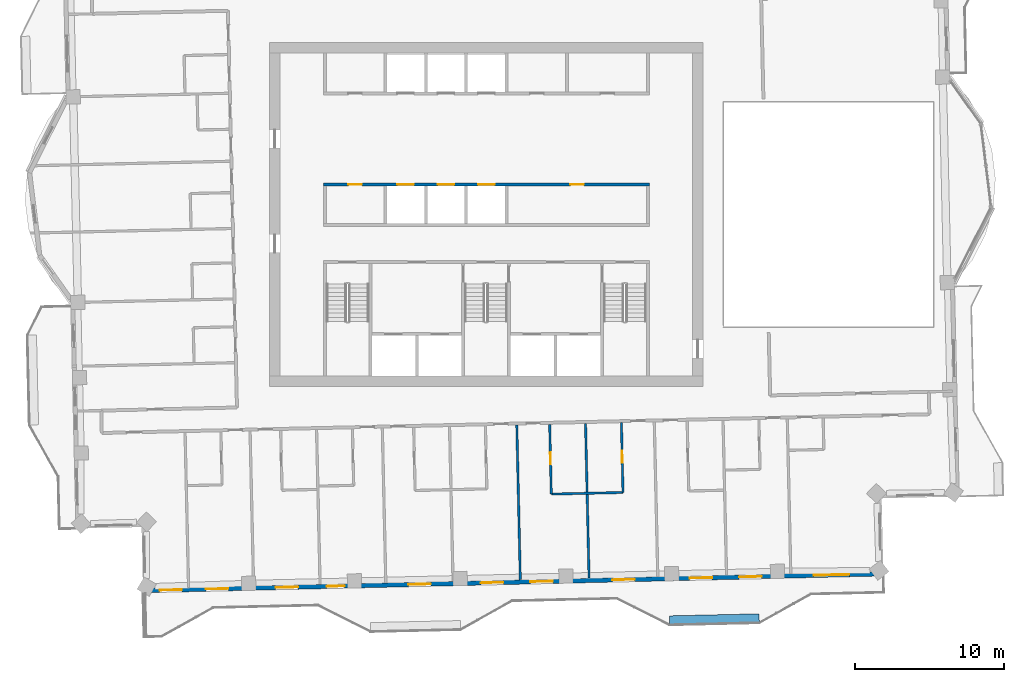
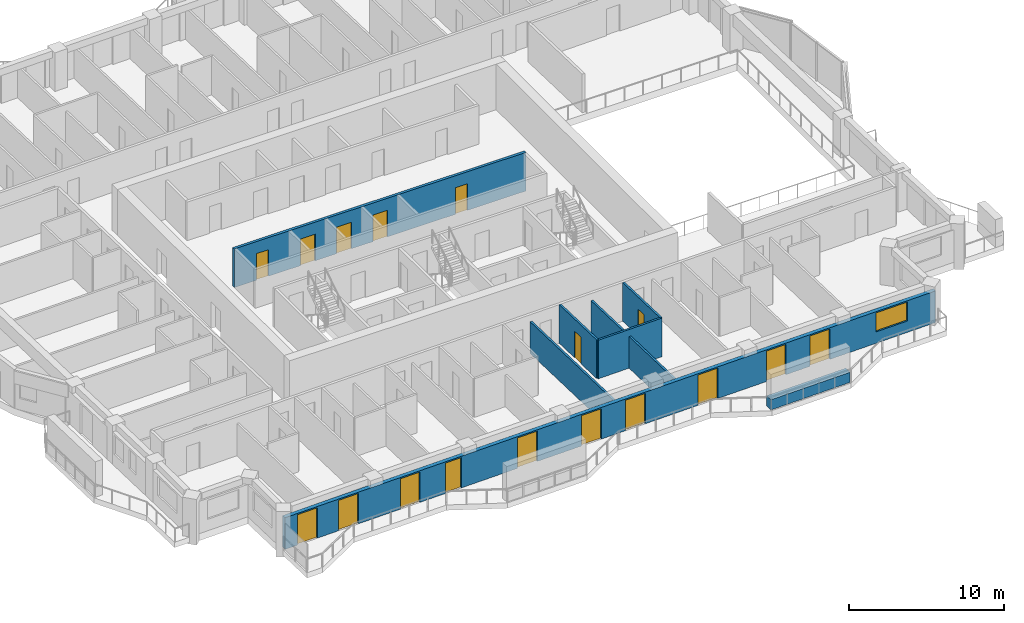
# One storey, part 10 of 20: 17 doors, 8 walls, 1 window, 18 openings.
"""IFC4 building model written with IfcOpenShell, lengths in metres."""

from ifc_helpers import new_model, si_unit, direction, frame, frame_2d, origin, place, context, subcontext, project, spatial, rectangle, extrude, material, layer, layer_set, type_object, element, fill, save


model = new_model("IFC4")

# Units and contexts
model_context = context("Model", 3, precision=1e-05, world=origin(), true_north=direction((0.0, 1.0)))
body_context = subcontext(model_context, "Body", "Model", "MODEL_VIEW")
ifc_project = project(units=[si_unit("LENGTHUNIT", "METRE"), si_unit("AREAUNIT", "SQUARE_METRE"), si_unit("VOLUMEUNIT", "CUBIC_METRE"), si_unit("PLANEANGLEUNIT", "RADIAN"), si_unit("MASSUNIT", "GRAM", prefix="KILO")], contexts=[model_context])

# Site, building, storey
site_placement = place(None, origin())
site = spatial("IfcSite", under=ifc_project, at=site_placement, CompositionType="ELEMENT")
building_placement = place(site_placement, origin())
building = spatial("IfcBuilding", under=site, at=building_placement, Name="Mangrove Gate Tower", CompositionType="ELEMENT")
storey_placement = place(building_placement, frame((0.0, 0.0, 294.300048828125)))
storey = spatial("IfcBuildingStorey", under=building, at=storey_placement, Name="L75", CompositionType="ELEMENT", Elevation=294.300048828125)

# Wall, openings, doors
ifc_material_1 = material(Name="Concrete C50/60", Category="concrete")
ifc_layer_1 = layer(ifc_material_1, 0.199951171875)
ifc_layer_set_1 = layer_set([ifc_layer_1], Name="Core shaft wall 200 C50/60")
wall_type_1 = type_object("IfcWallType", Name="Core shaft wall 200 C50/60", PredefinedType="SHEAR", material=ifc_layer_set_1)
wall_1_placement = place(storey_placement, frame((-10.89990234375, 2.0, 0.0), z_axis=(0.0, 0.0, 1.0), x_axis=(1.0, 0.0, 0.0)))
wall_1 = element("IfcWall", 1, at=wall_1_placement, inside=storey, type_object=wall_type_1, Name="WALL-L75-CORE-7", PredefinedType="SHEAR", context=body_context, shape_type="SweptSolid", body=[
    extrude(rectangle(XDim=21.7998046875, YDim=0.199951171875, at=frame_2d((10.89990234375, 0.0))), origin(), (0.0, 0.0, 1.0), 3.050048828125),
])
opening_1_placement = place(wall_1_placement, frame((4.949951171875, 0.0, 0.0)))
opening_1 = element("IfcOpeningElement", 2, at=opening_1_placement, cuts=wall_1, Name="Opening LD", PredefinedType="OPENING", context=body_context, shape_type="SweptSolid", body=[
    extrude(rectangle(XDim=1.10009765625, YDim=2.10009765625, at=frame_2d((0.550048828125, 1.050048828125))), frame((0.0, 0.10986328125, 0.0), z_axis=(0.0, -1.0, 0.0), x_axis=(1.0, 0.0, 0.0)), (0.0, 0.0, 1.0), 0.219970703125),
])
opening_2_placement = place(wall_1_placement, frame((7.64990234375, 0.0, 0.0)))
opening_2 = element("IfcOpeningElement", 3, at=opening_2_placement, cuts=wall_1, Name="Opening LD", PredefinedType="OPENING", context=body_context, shape_type="SweptSolid", body=[
    extrude(rectangle(XDim=1.10009765625, YDim=2.10009765625, at=frame_2d((0.550048828125, 1.050048828125))), frame((0.0, 0.10986328125, 0.0), z_axis=(0.0, -1.0, 0.0), x_axis=(1.0, 0.0, 0.0)), (0.0, 0.0, 1.0), 0.219970703125),
])
opening_3_placement = place(wall_1_placement, frame((10.35009765625, 0.0, 0.0)))
opening_3 = element("IfcOpeningElement", 4, at=opening_3_placement, cuts=wall_1, Name="Opening LD", PredefinedType="OPENING", context=body_context, shape_type="SweptSolid", body=[
    extrude(rectangle(XDim=1.10009765625, YDim=2.10009765625, at=frame_2d((0.550048828125, 1.050048828125))), frame((0.0, 0.10986328125, 0.0), z_axis=(0.0, -1.0, 0.0), x_axis=(1.0, 0.0, 0.0)), (0.0, 0.0, 1.0), 0.219970703125),
])
opening_4_placement = place(wall_1_placement, frame((1.675048828125, 0.0, 0.0)))
opening_4 = element("IfcOpeningElement", 5, at=opening_4_placement, cuts=wall_1, Name="Opening RD", PredefinedType="OPENING", context=body_context, shape_type="SweptSolid", body=[
    extrude(rectangle(XDim=0.89990234375, YDim=2.10009765625, at=frame_2d((0.449951171875, 1.050048828125))), frame((0.0, 0.10986328125, 0.0), z_axis=(0.0, -1.0, 0.0), x_axis=(1.0, 0.0, 0.0)), (0.0, 0.0, 1.0), 0.219970703125),
])
opening_5_placement = place(wall_1_placement, frame((16.52490234375, 0.0, 0.0)))
opening_5 = element("IfcOpeningElement", 6, at=opening_5_placement, cuts=wall_1, Name="Opening KD", PredefinedType="OPENING", context=body_context, shape_type="SweptSolid", body=[
    extrude(rectangle(XDim=0.89990234375, YDim=2.10009765625, at=frame_2d((0.449951171875, 1.050048828125))), frame((0.0, 0.10986328125, 0.0), z_axis=(0.0, -1.0, 0.0), x_axis=(1.0, 0.0, 0.0)), (0.0, 0.0, 1.0), 0.219970703125),
])
ifc_material_2 = material(Name="Fire-rated steel door set", Category="steel")
door_type_1 = type_object("IfcDoorType", Name="Core room door FD30S 900x2100", OperationType="SINGLE_SWING_RIGHT", PredefinedType="DOOR", material=ifc_material_2)
door_1_placement = place(opening_5_placement, origin())
door_1 = element("IfcDoor", 7, at=door_1_placement, inside=storey, type_object=door_type_1, Name="Core room door Linen store", OperationType="SINGLE_SWING_RIGHT", OverallHeight=2.10009765625, OverallWidth=0.89990234375, PredefinedType="DOOR", context=body_context, shape_type="SweptSolid", body=[
    extrude(rectangle(XDim=0.89990234375, YDim=2.10009765625, at=frame_2d((0.449951171875, 1.050048828125))), frame((0.0, 0.02490234375, 0.0), z_axis=(0.0, -1.0, 0.0), x_axis=(1.0, 0.0, 0.0)), (0.0, 0.0, 1.0), 0.050048828125),
])
fill(opening_5, door_1)
ifc_material_3 = material(Name="Stainless steel 316", Category="steel")
door_type_2 = type_object("IfcDoorType", Name="Lift landing door 1100x2100", OperationType="SLIDING_TO_LEFT", PredefinedType="DOOR", material=ifc_material_3)
door_2_placement = place(opening_1_placement, origin())
door_2 = element("IfcDoor", 8, at=door_2_placement, inside=storey, type_object=door_type_2, Name="Landing door LD H01", OperationType="SLIDING_TO_LEFT", OverallHeight=2.10009765625, OverallWidth=1.10009765625, PredefinedType="DOOR", context=body_context, shape_type="SweptSolid", body=[
    extrude(rectangle(XDim=1.10009765625, YDim=2.10009765625, at=frame_2d((0.550048828125, 1.050048828125))), frame((0.0, 0.02490234375, 0.0), z_axis=(0.0, -1.0, 0.0), x_axis=(1.0, 0.0, 0.0)), (0.0, 0.0, 1.0), 0.050048828125),
])
fill(opening_1, door_2)
door_3_placement = place(opening_2_placement, origin())
door_3 = element("IfcDoor", 9, at=door_3_placement, inside=storey, type_object=door_type_2, Name="Landing door LD H02", OperationType="SLIDING_TO_LEFT", OverallHeight=2.10009765625, OverallWidth=1.10009765625, PredefinedType="DOOR", context=body_context, shape_type="SweptSolid", body=[
    extrude(rectangle(XDim=1.10009765625, YDim=2.10009765625, at=frame_2d((0.550048828125, 1.050048828125))), frame((0.0, 0.02490234375, 0.0), z_axis=(0.0, -1.0, 0.0), x_axis=(1.0, 0.0, 0.0)), (0.0, 0.0, 1.0), 0.050048828125),
])
fill(opening_2, door_3)
door_4_placement = place(opening_3_placement, origin())
door_4 = element("IfcDoor", 10, at=door_4_placement, inside=storey, type_object=door_type_2, Name="Landing door LD H03", OperationType="SLIDING_TO_LEFT", OverallHeight=2.10009765625, OverallWidth=1.10009765625, PredefinedType="DOOR", context=body_context, shape_type="SweptSolid", body=[
    extrude(rectangle(XDim=1.10009765625, YDim=2.10009765625, at=frame_2d((0.550048828125, 1.050048828125))), frame((0.0, 0.02490234375, 0.0), z_axis=(0.0, -1.0, 0.0), x_axis=(1.0, 0.0, 0.0)), (0.0, 0.0, 1.0), 0.050048828125),
])
fill(opening_3, door_4)
ifc_material_4 = material(Name="Fire-rated steel door set", Category="steel")
door_type_3 = type_object("IfcDoorType", Name="Riser door FD30S 900x2100", OperationType="SINGLE_SWING_LEFT", PredefinedType="DOOR", material=ifc_material_4)
door_5_placement = place(opening_4_placement, origin())
door_5 = element("IfcDoor", 11, at=door_5_placement, inside=storey, type_object=door_type_3, Name="Riser door Electrical room", OperationType="SINGLE_SWING_LEFT", OverallHeight=2.10009765625, OverallWidth=0.89990234375, PredefinedType="DOOR", context=body_context, shape_type="SweptSolid", body=[
    extrude(rectangle(XDim=0.89990234375, YDim=2.10009765625, at=frame_2d((0.449951171875, 1.050048828125))), frame((0.0, 0.02490234375, 0.0), z_axis=(0.0, -1.0, 0.0), x_axis=(1.0, 0.0, 0.0)), (0.0, 0.0, 1.0), 0.050048828125),
])
fill(opening_4, door_5)

# Wall, openings, doors, window
ifc_material_5 = material(Name="Limestone", Category="masonry")
ifc_layer_2 = layer(ifc_material_5, 0.0400390625, Name="Limestone cladding")
ifc_material_6 = material(Name="Ventilated air gap")
ifc_layer_3 = layer(ifc_material_6, 0.0400390625, Name="Ventilated cavity")
ifc_material_7 = material(Name="Mineral wool insulation")
ifc_layer_4 = layer(ifc_material_7, 0.06005859375, Name="Insulation")
ifc_material_8 = material(Name="Breather membrane")
ifc_layer_5 = layer(ifc_material_8, 0.001953125, Name="Breather membrane")
ifc_material_9 = material(Name="Concrete C20/25 blockwork", Category="masonry")
ifc_layer_6 = layer(ifc_material_9, 0.14990234375, Name="Blockwork backing wall")
ifc_material_10 = material(Name="Gypsum plaster")
ifc_layer_7 = layer(ifc_material_10, 0.008056640625, Name="Internal plaster")
ifc_layer_set_2 = layer_set([ifc_layer_2, ifc_layer_3, ifc_layer_4, ifc_layer_5, ifc_layer_6, ifc_layer_7], Name="External wall 300 limestone cladding")
wall_type_2 = type_object("IfcWallType", Name="External wall 300 limestone cladding", PredefinedType="SOLIDWALL", material=ifc_layer_set_2)
wall_2_placement = place(storey_placement, frame((-22.81591796875, -25.160888671875, 0.0), z_axis=(0.0, 0.0, 1.0), x_axis=(0.999742646411, 0.022685699159, 0.0)))
wall_2 = element("IfcWall", 12, at=wall_2_placement, inside=storey, type_object=wall_type_2, Name="WALL-L75-S13", PredefinedType="SOLIDWALL", context=body_context, shape_type="SweptSolid", body=[
    extrude(rectangle(XDim=49.235595703125, YDim=0.300048828125, at=frame_2d((24.61767578125, 0.0))), origin(), (0.0, 0.0, 1.0), 2.5),
])
opening_6_placement = place(wall_2_placement, frame((0.952880859375, 0.0, 0.0)))
opening_6 = element("IfcOpeningElement", 13, at=opening_6_placement, cuts=wall_2, Name="Opening BD1", PredefinedType="OPENING", context=body_context, shape_type="SweptSolid", body=[
    extrude(rectangle(XDim=1.5, YDim=2.39990234375, at=frame_2d((0.75, 1.199951171875))), frame((0.0, 0.159912109375, 0.0), z_axis=(0.0, -1.0, 0.0), x_axis=(1.0, 0.0, 0.0)), (0.0, 0.0, 1.0), 0.320068359375),
])
opening_7_placement = place(wall_2_placement, frame((4.051025390625, 0.0, 0.0)))
opening_7 = element("IfcOpeningElement", 14, at=opening_7_placement, cuts=wall_2, Name="Opening BD1", PredefinedType="OPENING", context=body_context, shape_type="SweptSolid", body=[
    extrude(rectangle(XDim=1.5, YDim=2.39990234375, at=frame_2d((0.75, 1.199951171875))), frame((0.0, 0.159912109375, 0.0), z_axis=(0.0, -1.0, 0.0), x_axis=(1.0, 0.0, 0.0)), (0.0, 0.0, 1.0), 0.320068359375),
])
opening_8_placement = place(wall_2_placement, frame((8.72509765625, 0.0, 0.0)))
opening_8 = element("IfcOpeningElement", 15, at=opening_8_placement, cuts=wall_2, Name="Opening BD1", PredefinedType="OPENING", context=body_context, shape_type="SweptSolid", body=[
    extrude(rectangle(XDim=1.5, YDim=2.39990234375, at=frame_2d((0.75, 1.199951171875))), frame((0.0, 0.159912109375, 0.0), z_axis=(0.0, -1.0, 0.0), x_axis=(1.0, 0.0, 0.0)), (0.0, 0.0, 1.0), 0.320068359375),
])
opening_9_placement = place(wall_2_placement, frame((12.138916015625, 0.0, 0.0)))
opening_9 = element("IfcOpeningElement", 16, at=opening_9_placement, cuts=wall_2, Name="Opening BD2", PredefinedType="OPENING", context=body_context, shape_type="SweptSolid", body=[
    extrude(rectangle(XDim=1.199951171875, YDim=2.39990234375, at=frame_2d((0.60009765625, 1.199951171875))), frame((0.0, 0.159912109375, 0.0), z_axis=(0.0, -1.0, 0.0), x_axis=(1.0, 0.0, 0.0)), (0.0, 0.0, 1.0), 0.320068359375),
])
opening_10_placement = place(wall_2_placement, frame((17.60009765625, 0.0, 0.0)))
opening_10 = element("IfcOpeningElement", 17, at=opening_10_placement, cuts=wall_2, Name="Opening BD1", PredefinedType="OPENING", context=body_context, shape_type="SweptSolid", body=[
    extrude(rectangle(XDim=1.5, YDim=2.39990234375, at=frame_2d((0.75, 1.199951171875))), frame((0.0, 0.159912109375, 0.0), z_axis=(0.0, -1.0, 0.0), x_axis=(1.0, 0.0, 0.0)), (0.0, 0.0, 1.0), 0.320068359375),
])
opening_11_placement = place(wall_2_placement, frame((22.452880859375, 0.0, 0.0)))
opening_11 = element("IfcOpeningElement", 18, at=opening_11_placement, cuts=wall_2, Name="Opening BD1", PredefinedType="OPENING", context=body_context, shape_type="SweptSolid", body=[
    extrude(rectangle(XDim=1.5, YDim=2.39990234375, at=frame_2d((0.75, 1.199951171875))), frame((0.0, 0.159912109375, 0.0), z_axis=(0.0, -1.0, 0.0), x_axis=(1.0, 0.0, 0.0)), (0.0, 0.0, 1.0), 0.320068359375),
])
opening_12_placement = place(wall_2_placement, frame((25.764892578125, 0.0, 0.0)))
opening_12 = element("IfcOpeningElement", 19, at=opening_12_placement, cuts=wall_2, Name="Opening BD1", PredefinedType="OPENING", context=body_context, shape_type="SweptSolid", body=[
    extrude(rectangle(XDim=1.5, YDim=2.39990234375, at=frame_2d((0.75, 1.199951171875))), frame((0.0, 0.159912109375, 0.0), z_axis=(0.0, -1.0, 0.0), x_axis=(1.0, 0.0, 0.0)), (0.0, 0.0, 1.0), 0.320068359375),
])
opening_13_placement = place(wall_2_placement, frame((31.25, 0.0, 0.0)))
opening_13 = element("IfcOpeningElement", 20, at=opening_13_placement, cuts=wall_2, Name="Opening BD1", PredefinedType="OPENING", context=body_context, shape_type="SweptSolid", body=[
    extrude(rectangle(XDim=1.5, YDim=2.39990234375, at=frame_2d((0.75, 1.199951171875))), frame((0.0, 0.159912109375, 0.0), z_axis=(0.0, -1.0, 0.0), x_axis=(1.0, 0.0, 0.0)), (0.0, 0.0, 1.0), 0.320068359375),
])
opening_14_placement = place(wall_2_placement, frame((36.428955078125, 0.0, 0.0)))
opening_14 = element("IfcOpeningElement", 21, at=opening_14_placement, cuts=wall_2, Name="Opening BD1", PredefinedType="OPENING", context=body_context, shape_type="SweptSolid", body=[
    extrude(rectangle(XDim=1.5, YDim=2.39990234375, at=frame_2d((0.75, 1.199951171875))), frame((0.0, 0.159912109375, 0.0), z_axis=(0.0, -1.0, 0.0), x_axis=(1.0, 0.0, 0.0)), (0.0, 0.0, 1.0), 0.320068359375),
])
opening_15_placement = place(wall_2_placement, frame((39.741943359375, 0.0, 0.0)))
opening_15 = element("IfcOpeningElement", 22, at=opening_15_placement, cuts=wall_2, Name="Opening BD1", PredefinedType="OPENING", context=body_context, shape_type="SweptSolid", body=[
    extrude(rectangle(XDim=1.5, YDim=2.39990234375, at=frame_2d((0.75, 1.199951171875))), frame((0.0, 0.159912109375, 0.0), z_axis=(0.0, -1.0, 0.0), x_axis=(1.0, 0.0, 0.0)), (0.0, 0.0, 1.0), 0.320068359375),
])
opening_16_placement = place(wall_2_placement, frame((44.719970703125, 0.0, 0.89990234375)))
opening_16 = element("IfcOpeningElement", 23, at=opening_16_placement, cuts=wall_2, Name="Opening W2", PredefinedType="OPENING", context=body_context, shape_type="SweptSolid", body=[
    extrude(rectangle(XDim=2.39990234375, YDim=1.5, at=frame_2d((1.199951171875, 0.75))), frame((0.0, 0.159912109375, 0.0), z_axis=(0.0, -1.0, 0.0), x_axis=(1.0, 0.0, 0.0)), (0.0, 0.0, 1.0), 0.320068359375),
])
ifc_material_11 = material(Name="Aluminium frame with laminated clear glass", Category="aluminium")
door_type_4 = type_object("IfcDoorType", Name="Balcony sliding door 1200x2400", OperationType="SLIDING_TO_LEFT", PredefinedType="DOOR", material=ifc_material_11)
door_6_placement = place(opening_9_placement, origin())
door_6 = element("IfcDoor", 24, at=door_6_placement, inside=storey, type_object=door_type_4, Name="DOOR-L75-S13-4", OperationType="SLIDING_TO_LEFT", OverallHeight=2.39990234375, OverallWidth=1.199951171875, PredefinedType="DOOR", context=body_context, shape_type="SweptSolid", body=[
    extrude(rectangle(XDim=1.199951171875, YDim=2.39990234375, at=frame_2d((0.60009765625, 1.199951171875))), frame((0.0, 0.02490234375, 0.0), z_axis=(0.0, -1.0, 0.0), x_axis=(1.0, 0.0, 0.0)), (0.0, 0.0, 1.0), 0.050048828125),
])
fill(opening_9, door_6)
ifc_material_12 = material(Name="Aluminium frame with laminated clear glass", Category="aluminium")
door_type_5 = type_object("IfcDoorType", Name="Balcony sliding door 1500x2400", OperationType="SLIDING_TO_LEFT", PredefinedType="DOOR", material=ifc_material_12)
door_7_placement = place(opening_6_placement, origin())
door_7 = element("IfcDoor", 25, at=door_7_placement, inside=storey, type_object=door_type_5, Name="DOOR-L75-S13-1", OperationType="SLIDING_TO_LEFT", OverallHeight=2.39990234375, OverallWidth=1.5, PredefinedType="DOOR", context=body_context, shape_type="SweptSolid", body=[
    extrude(rectangle(XDim=1.5, YDim=2.39990234375, at=frame_2d((0.75, 1.199951171875))), frame((0.0, 0.02490234375, 0.0), z_axis=(0.0, -1.0, 0.0), x_axis=(1.0, 0.0, 0.0)), (0.0, 0.0, 1.0), 0.050048828125),
])
fill(opening_6, door_7)
door_8_placement = place(opening_7_placement, origin())
door_8 = element("IfcDoor", 26, at=door_8_placement, inside=storey, type_object=door_type_5, Name="DOOR-L75-S13-2", OperationType="SLIDING_TO_LEFT", OverallHeight=2.39990234375, OverallWidth=1.5, PredefinedType="DOOR", context=body_context, shape_type="SweptSolid", body=[
    extrude(rectangle(XDim=1.5, YDim=2.39990234375, at=frame_2d((0.75, 1.199951171875))), frame((0.0, 0.02490234375, 0.0), z_axis=(0.0, -1.0, 0.0), x_axis=(1.0, 0.0, 0.0)), (0.0, 0.0, 1.0), 0.050048828125),
])
fill(opening_7, door_8)
door_9_placement = place(opening_8_placement, origin())
door_9 = element("IfcDoor", 27, at=door_9_placement, inside=storey, type_object=door_type_5, Name="DOOR-L75-S13-3", OperationType="SLIDING_TO_LEFT", OverallHeight=2.39990234375, OverallWidth=1.5, PredefinedType="DOOR", context=body_context, shape_type="SweptSolid", body=[
    extrude(rectangle(XDim=1.5, YDim=2.39990234375, at=frame_2d((0.75, 1.199951171875))), frame((0.0, 0.02490234375, 0.0), z_axis=(0.0, -1.0, 0.0), x_axis=(1.0, 0.0, 0.0)), (0.0, 0.0, 1.0), 0.050048828125),
])
fill(opening_8, door_9)
door_10_placement = place(opening_10_placement, origin())
door_10 = element("IfcDoor", 28, at=door_10_placement, inside=storey, type_object=door_type_5, Name="DOOR-L75-S13-5", OperationType="SLIDING_TO_LEFT", OverallHeight=2.39990234375, OverallWidth=1.5, PredefinedType="DOOR", context=body_context, shape_type="SweptSolid", body=[
    extrude(rectangle(XDim=1.5, YDim=2.39990234375, at=frame_2d((0.75, 1.199951171875))), frame((0.0, 0.02490234375, 0.0), z_axis=(0.0, -1.0, 0.0), x_axis=(1.0, 0.0, 0.0)), (0.0, 0.0, 1.0), 0.050048828125),
])
fill(opening_10, door_10)
door_11_placement = place(opening_11_placement, origin())
door_11 = element("IfcDoor", 29, at=door_11_placement, inside=storey, type_object=door_type_5, Name="DOOR-L75-S13-6", OperationType="SLIDING_TO_LEFT", OverallHeight=2.39990234375, OverallWidth=1.5, PredefinedType="DOOR", context=body_context, shape_type="SweptSolid", body=[
    extrude(rectangle(XDim=1.5, YDim=2.39990234375, at=frame_2d((0.75, 1.199951171875))), frame((0.0, 0.02490234375, 0.0), z_axis=(0.0, -1.0, 0.0), x_axis=(1.0, 0.0, 0.0)), (0.0, 0.0, 1.0), 0.050048828125),
])
fill(opening_11, door_11)
door_12_placement = place(opening_12_placement, origin())
door_12 = element("IfcDoor", 30, at=door_12_placement, inside=storey, type_object=door_type_5, Name="DOOR-L75-S13-7", OperationType="SLIDING_TO_LEFT", OverallHeight=2.39990234375, OverallWidth=1.5, PredefinedType="DOOR", context=body_context, shape_type="SweptSolid", body=[
    extrude(rectangle(XDim=1.5, YDim=2.39990234375, at=frame_2d((0.75, 1.199951171875))), frame((0.0, 0.02490234375, 0.0), z_axis=(0.0, -1.0, 0.0), x_axis=(1.0, 0.0, 0.0)), (0.0, 0.0, 1.0), 0.050048828125),
])
fill(opening_12, door_12)
door_13_placement = place(opening_13_placement, origin())
door_13 = element("IfcDoor", 31, at=door_13_placement, inside=storey, type_object=door_type_5, Name="DOOR-L75-S13-8", OperationType="SLIDING_TO_LEFT", OverallHeight=2.39990234375, OverallWidth=1.5, PredefinedType="DOOR", context=body_context, shape_type="SweptSolid", body=[
    extrude(rectangle(XDim=1.5, YDim=2.39990234375, at=frame_2d((0.75, 1.199951171875))), frame((0.0, 0.02490234375, 0.0), z_axis=(0.0, -1.0, 0.0), x_axis=(1.0, 0.0, 0.0)), (0.0, 0.0, 1.0), 0.050048828125),
])
fill(opening_13, door_13)
door_14_placement = place(opening_14_placement, origin())
door_14 = element("IfcDoor", 32, at=door_14_placement, inside=storey, type_object=door_type_5, Name="DOOR-L75-S13-9", OperationType="SLIDING_TO_LEFT", OverallHeight=2.39990234375, OverallWidth=1.5, PredefinedType="DOOR", context=body_context, shape_type="SweptSolid", body=[
    extrude(rectangle(XDim=1.5, YDim=2.39990234375, at=frame_2d((0.75, 1.199951171875))), frame((0.0, 0.02490234375, 0.0), z_axis=(0.0, -1.0, 0.0), x_axis=(1.0, 0.0, 0.0)), (0.0, 0.0, 1.0), 0.050048828125),
])
fill(opening_14, door_14)
door_15_placement = place(opening_15_placement, origin())
door_15 = element("IfcDoor", 33, at=door_15_placement, inside=storey, type_object=door_type_5, Name="DOOR-L75-S13-10", OperationType="SLIDING_TO_LEFT", OverallHeight=2.39990234375, OverallWidth=1.5, PredefinedType="DOOR", context=body_context, shape_type="SweptSolid", body=[
    extrude(rectangle(XDim=1.5, YDim=2.39990234375, at=frame_2d((0.75, 1.199951171875))), frame((0.0, 0.02490234375, 0.0), z_axis=(0.0, -1.0, 0.0), x_axis=(1.0, 0.0, 0.0)), (0.0, 0.0, 1.0), 0.050048828125),
])
fill(opening_15, door_15)
ifc_material_13 = material(Name="Aluminium frame with double-glazed low-e glass", Category="aluminium")
window_type = type_object("IfcWindowType", Name="Corner room window 2400x1500", PartitioningType="DOUBLE_PANEL_VERTICAL", PredefinedType="WINDOW", material=ifc_material_13)
window_placement = place(opening_16_placement, origin())
window = element("IfcWindow", 34, at=window_placement, inside=storey, type_object=window_type, Name="WIN-L75-S13-11", OverallHeight=1.5, OverallWidth=2.39990234375, PartitioningType="DOUBLE_PANEL_VERTICAL", PredefinedType="WINDOW", context=body_context, shape_type="SweptSolid", body=[
    extrude(rectangle(XDim=2.39990234375, YDim=1.5, at=frame_2d((1.199951171875, 0.75))), frame((0.0, 0.030029296875, 0.0), z_axis=(0.0, -1.0, 0.0), x_axis=(1.0, 0.0, 0.0)), (0.0, 0.0, 1.0), 0.06005859375),
])
fill(opening_16, window)

# Walls
ifc_material_14 = material(Name="Gypsum board on steel stud, EI 60", Category="steel")
ifc_layer_8 = layer(ifc_material_14, 0.14990234375)
ifc_layer_set_3 = layer_set([ifc_layer_8], Name="Party wall 150 EI 60")
wall_type_3 = type_object("IfcWallType", Name="Party wall 150 EI 60", PredefinedType="PARTITIONING", material=ifc_layer_set_3)
wall_3_placement = place(storey_placement, frame((2.27197265625, -24.44189453125, 0.0), z_axis=(0.0, 0.0, 1.0), x_axis=(-0.022690865001, 0.999742529177, 0.0)))
element("IfcWall", 35, at=wall_3_placement, inside=storey, type_object=wall_type_3, Name="WALL-L75-006", PredefinedType="PARTITIONING", context=body_context, shape_type="SweptSolid", body=[
    extrude(rectangle(XDim=10.3505859375, YDim=0.14990234375, at=frame_2d((5.17529296875, 0.0))), origin(), (0.0, 0.0, 1.0), 2.5),
])
wall_4_placement = place(storey_placement, frame((6.87109375, -24.3369140625, 0.0), z_axis=(0.0, 0.0, 1.0), x_axis=(-0.022716582742, 0.999741945138, 0.0)))
element("IfcWall", 36, at=wall_4_placement, inside=storey, type_object=wall_type_3, Name="WALL-L75-007", PredefinedType="PARTITIONING", context=body_context, shape_type="SweptSolid", body=[
    extrude(rectangle(XDim=10.349609375, YDim=0.14990234375, at=frame_2d((5.1748046875, 0.0))), origin(), (0.0, 0.0, 1.0), 2.5),
])

# Wall, opening, door
wall_5_placement = place(storey_placement, frame((4.343017578125, -18.712890625, 0.0), z_axis=(0.0, 0.0, 1.0), x_axis=(-0.022688155425, 0.999742590672, 0.0)))
wall_5 = element("IfcWall", 37, at=wall_5_placement, inside=storey, type_object=wall_type_3, Name="WALL-L75-011", PredefinedType="PARTITIONING", context=body_context, shape_type="SweptSolid", body=[
    extrude(rectangle(XDim=4.670166015625, YDim=0.14990234375, at=frame_2d((2.3349609375, 0.0))), origin(), (0.0, 0.0, 1.0), 3.050048828125),
])
opening_17_placement = place(wall_5_placement, frame((1.985107421875, 0.0, 0.0)))
opening_17 = element("IfcOpeningElement", 38, at=opening_17_placement, cuts=wall_5, Name="Opening ED", PredefinedType="OPENING", context=body_context, shape_type="SweptSolid", body=[
    extrude(rectangle(XDim=0.800048828125, YDim=2.10009765625, at=frame_2d((0.39990234375, 1.050048828125))), frame((0.0, 0.0849609375, 0.0), z_axis=(0.0, -1.0, 0.0), x_axis=(1.0, 0.0, 0.0)), (0.0, 0.0, 1.0), 0.169921875),
])
ifc_material_15 = material(Name="Timber door leaf", Category="wood")
door_type_6 = type_object("IfcDoorType", Name="En-suite door 800", OperationType="SINGLE_SWING_LEFT", PredefinedType="DOOR", material=ifc_material_15)
door_16_placement = place(opening_17_placement, origin())
door_16 = element("IfcDoor", 39, at=door_16_placement, inside=storey, type_object=door_type_6, Name="DOOR-L75-ENS-c206", OperationType="SINGLE_SWING_RIGHT", OverallHeight=2.10009765625, OverallWidth=0.800048828125, PredefinedType="DOOR", context=body_context, shape_type="SweptSolid", body=[
    extrude(rectangle(XDim=0.800048828125, YDim=2.10009765625, at=frame_2d((0.39990234375, 1.050048828125))), frame((0.0, 0.02490234375, 0.0), z_axis=(0.0, -1.0, 0.0), x_axis=(1.0, 0.0, 0.0)), (0.0, 0.0, 1.0), 0.050048828125),
])
fill(opening_17, door_16)

# Wall
wall_6_placement = place(storey_placement, frame((4.344970703125, -18.712890625, 0.0), z_axis=(0.0, 0.0, 1.0), x_axis=(0.999742596585, 0.02268789488, 0.0)))
element("IfcWall", 40, at=wall_6_placement, inside=storey, type_object=wall_type_3, Name="WALL-L75-012", PredefinedType="PARTITIONING", context=body_context, shape_type="SweptSolid", body=[
    extrude(rectangle(XDim=4.79931640625, YDim=0.14990234375, at=frame_2d((2.399658203125, 0.0))), origin(), (0.0, 0.0, 1.0), 3.050048828125),
])

# Wall, opening, door
wall_7_placement = place(storey_placement, frame((9.14111328125, -18.60400390625, 0.0), z_axis=(0.0, 0.0, 1.0), x_axis=(-0.022531404752, 0.999746135676, 0.0)))
wall_7 = element("IfcWall", 41, at=wall_7_placement, inside=storey, type_object=wall_type_3, Name="WALL-L75-013", PredefinedType="PARTITIONING", context=body_context, shape_type="SweptSolid", body=[
    extrude(rectangle(XDim=4.670166015625, YDim=0.14990234375, at=frame_2d((2.3349609375, 0.0))), origin(), (0.0, 0.0, 1.0), 3.050048828125),
])
opening_18_placement = place(wall_7_placement, frame((1.985107421875, 0.0, 0.0)))
opening_18 = element("IfcOpeningElement", 42, at=opening_18_placement, cuts=wall_7, Name="Opening ED", PredefinedType="OPENING", context=body_context, shape_type="SweptSolid", body=[
    extrude(rectangle(XDim=0.800048828125, YDim=2.10009765625, at=frame_2d((0.39990234375, 1.050048828125))), frame((0.0, 0.0849609375, 0.0), z_axis=(0.0, -1.0, 0.0), x_axis=(1.0, 0.0, 0.0)), (0.0, 0.0, 1.0), 0.169921875),
])
door_17_placement = place(opening_18_placement, origin())
door_17 = element("IfcDoor", 43, at=door_17_placement, inside=storey, type_object=door_type_6, Name="DOOR-L75-ENS-c207", OperationType="SINGLE_SWING_LEFT", OverallHeight=2.10009765625, OverallWidth=0.800048828125, PredefinedType="DOOR", context=body_context, shape_type="SweptSolid", body=[
    extrude(rectangle(XDim=0.800048828125, YDim=2.10009765625, at=frame_2d((0.39990234375, 1.050048828125))), frame((0.0, 0.02490234375, 0.0), z_axis=(0.0, -1.0, 0.0), x_axis=(1.0, 0.0, 0.0)), (0.0, 0.0, 1.0), 0.050048828125),
])
fill(opening_18, door_17)

# Wall
ifc_material_16 = material(Name="Concrete C32/40", Category="concrete")
ifc_layer_9 = layer(ifc_material_16, 0.199951171875, Name="Planter trough wall")
ifc_material_17 = material(Name="Bituminous waterproofing membrane")
ifc_layer_10 = layer(ifc_material_17, 0.0048828125, Name="Waterproofing")
ifc_material_18 = material(Name="Drainage board and gravel")
ifc_layer_11 = layer(ifc_material_18, 0.044921875, Name="Drainage layer")
ifc_material_19 = material(Name="Planting soil")
ifc_layer_12 = layer(ifc_material_19, 0.300048828125, Name="Growing medium")
ifc_layer_set_4 = layer_set([ifc_layer_9, ifc_layer_10, ifc_layer_11, ifc_layer_12], Name="Planter wall 550 C32/40")
wall_type_4 = type_object("IfcWallType", Name="Planter wall 550 C32/40", PredefinedType="USERDEFINED", material=ifc_layer_set_4)
wall_8_placement = place(storey_placement, frame((12.256103515625, -27.131103515625, 0.0), z_axis=(0.0, 0.0, 1.0), x_axis=(0.999743073592, 0.022666865795, 0.0)))
element("IfcWall", 44, at=wall_8_placement, inside=storey, type_object=wall_type_4, Name="PLANTER L75 S1.1", ObjectType="PLANTER", PredefinedType="USERDEFINED", context=body_context, shape_type="SweptSolid", body=[
    extrude(rectangle(XDim=5.999267578125, YDim=0.550048828125, at=frame_2d((2.99951171875, 0.0))), origin(), (0.0, 0.0, 1.0), 0.800048828125),
])

save(model, "model.ifc")
